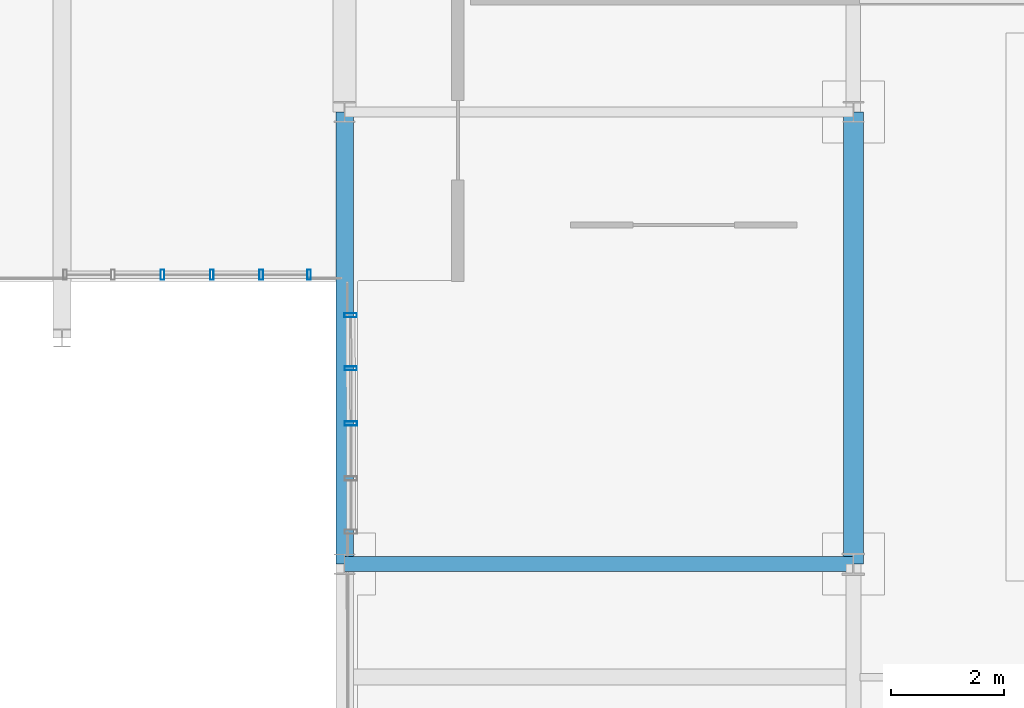
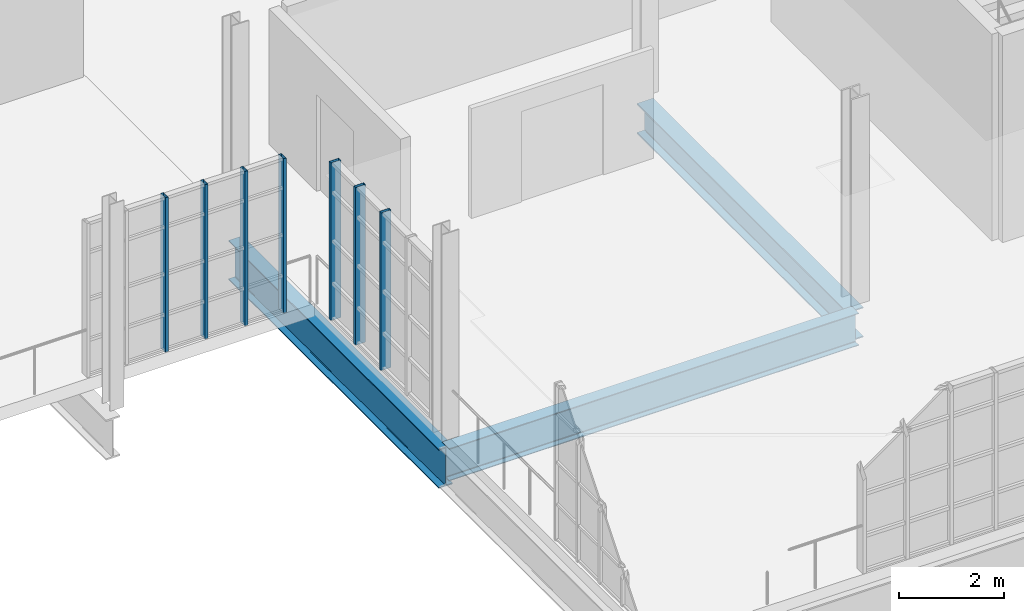
# One storey, part 24 of 122: 7 members, 3 beams, 2 elements without a shape of their own.
"""IFC4 building model written with IfcOpenShell, lengths in metres."""

from ifc_helpers import new_model, si_unit, direction, frame, origin, origin_2d, place, context, subcontext, project, spatial, hollow_rectangle, i_section, extrude, material, layer, layer_set, material_profile, profile_set, type_object, element, aggregate, save


model = new_model("IFC4")

# Units and contexts
model_context = context("Model", 3, precision=1e-05, world=origin(), true_north=direction((0.0, 1.0)))
body_context = subcontext(model_context, "Body", "Model", "MODEL_VIEW")
ifc_project = project(units=[si_unit("LENGTHUNIT", "METRE"), si_unit("AREAUNIT", "SQUARE_METRE"), si_unit("VOLUMEUNIT", "CUBIC_METRE"), si_unit("PLANEANGLEUNIT", "RADIAN"), si_unit("MASSUNIT", "GRAM", prefix="KILO"), si_unit("THERMODYNAMICTEMPERATUREUNIT", "KELVIN"), si_unit("POWERUNIT", "WATT")], contexts=[model_context])

# Site, building, storey
site_placement = place(None, origin())
site = spatial("IfcSite", under=ifc_project, at=site_placement, CompositionType="ELEMENT")
building_placement = place(site_placement, origin())
building = spatial("IfcBuilding", under=site, at=building_placement, Name="Zelmaris Science Centre", CompositionType="ELEMENT")
storey_placement = place(building_placement, frame((0.0, 0.0, 10.800048828125)))
storey = spatial("IfcBuildingStorey", under=building, at=storey_placement, Name="L02", CompositionType="ELEMENT", Elevation=10.800048828125)

# Curtain wall, members
ifc_material_1 = material(Name="Anodised architectural aluminium 6063-T6", Category="aluminium")
ifc_layer_1 = layer(ifc_material_1, 0.2099609375, Name="Anodised architectural aluminium 6063-T6")
ifc_layer_set_1 = layer_set([ifc_layer_1], Name="Anodised architectural aluminium 6063-T6")
curtain_wall_type_1 = type_object("IfcCurtainWallType", Name="Curtain Wall CW-03", PredefinedType="USERDEFINED", material=ifc_layer_set_1)
curtain_wall_1_placement = place(storey_placement, origin())
curtain_wall_1 = element("IfcCurtainWall", 1, at=curtain_wall_1_placement, inside=storey, type_object=curtain_wall_type_1, Name="L02 Unitised curtain wall 247", ObjectType="GLAZED CURTAIN WALL", PredefinedType="USERDEFINED")
ifc_material_profile_1 = material_profile(ifc_material_1, hollow_rectangle(XDim=0.06494140625, YDim=0.179931640625, WallThickness=0.00390625, at=origin_2d()), Name="ALU-MUL-65X180")
ifc_profile_set_1 = profile_set([ifc_material_profile_1], Name="Anodised architectural aluminium 6063-T6")
member_type_1 = type_object("IfcMemberType", Name="ALU-MUL-65X180", PredefinedType="MULLION", material=ifc_profile_set_1)
member_1_placement = place(storey_placement, frame((107.37158203125, 21.1201171875, -0.01513671875), z_axis=(0.0, 0.0, 1.0), x_axis=(-0.999999999986, 5.235988e-06, 0.0)))
member_1 = element("IfcMember", 2, at=member_1_placement, type_object=member_type_1, Name="CW-03 mullion 1", PredefinedType="MULLION", context=body_context, shape_type="SweptSolid", body=[
    extrude(hollow_rectangle(XDim=0.06494140625, YDim=0.179931640625, WallThickness=0.00390625, at=origin_2d()), origin(), (0.0, 0.0, 1.0), 3.588134765625),
])
member_2_placement = place(storey_placement, frame((106.525390625, 21.1201171875, -0.01513671875), z_axis=(0.0, 0.0, 1.0), x_axis=(-0.999999999986, 5.235988e-06, 0.0)))
member_2 = element("IfcMember", 3, at=member_2_placement, type_object=member_type_1, Name="CW-03 mullion 2", PredefinedType="MULLION", context=body_context, shape_type="SweptSolid", body=[
    extrude(hollow_rectangle(XDim=0.06494140625, YDim=0.179931640625, WallThickness=0.00390625, at=origin_2d()), origin(), (0.0, 0.0, 1.0), 3.588134765625),
])
member_3_placement = place(storey_placement, frame((105.650634765625, 21.1201171875, -0.01513671875), z_axis=(0.0, 0.0, 1.0), x_axis=(-0.999999999986, 5.235988e-06, 0.0)))
member_3 = element("IfcMember", 4, at=member_3_placement, type_object=member_type_1, Name="CW-03 mullion 3", PredefinedType="MULLION", context=body_context, shape_type="SweptSolid", body=[
    extrude(hollow_rectangle(XDim=0.06494140625, YDim=0.179931640625, WallThickness=0.00390625, at=origin_2d()), origin(), (0.0, 0.0, 1.0), 3.588134765625),
])
member_4_placement = place(storey_placement, frame((104.776123046875, 21.1201171875, -0.01513671875), z_axis=(0.0, 0.0, 1.0), x_axis=(-0.999999999986, 5.235988e-06, 0.0)))
member_4 = element("IfcMember", 5, at=member_4_placement, type_object=member_type_1, Name="CW-03 mullion 4", PredefinedType="MULLION", context=body_context, shape_type="SweptSolid", body=[
    extrude(hollow_rectangle(XDim=0.06494140625, YDim=0.179931640625, WallThickness=0.00390625, at=origin_2d()), origin(), (0.0, 0.0, 1.0), 3.588134765625),
])
aggregate(curtain_wall_1, [member_1, member_2, member_3, member_4])

ifc_layer_2 = layer(ifc_material_1, 0.199951171875, Name="Anodised architectural aluminium 6063-T6")
ifc_layer_set_2 = layer_set([ifc_layer_2], Name="Anodised architectural aluminium 6063-T6")
curtain_wall_type_2 = type_object("IfcCurtainWallType", Name="Curtain Wall CW-02", PredefinedType="USERDEFINED", material=ifc_layer_set_2)
curtain_wall_2_placement = place(storey_placement, origin())
curtain_wall_2 = element("IfcCurtainWall", 6, at=curtain_wall_2_placement, inside=storey, type_object=curtain_wall_type_2, Name="L02 Unitised curtain wall 246", ObjectType="GLAZED CURTAIN WALL", PredefinedType="USERDEFINED")
ifc_material_profile_2 = material_profile(ifc_material_1, hollow_rectangle(XDim=0.074951171875, YDim=0.219970703125, WallThickness=0.0048828125, at=origin_2d()), Name="ALU-MUL-75X220")
ifc_profile_set_2 = profile_set([ifc_material_profile_2], Name="Anodised architectural aluminium 6063-T6")
member_type_2 = type_object("IfcMemberType", Name="ALU-MUL-75X220", PredefinedType="MULLION", material=ifc_profile_set_2)
member_5_placement = place(storey_placement, frame((108.109130859375, 18.4892578125, -0.01513671875), z_axis=(0.0, 0.0, 1.0), x_axis=(-0.001054178673, 0.999999444354, 0.0)))
member_5 = element("IfcMember", 7, at=member_5_placement, type_object=member_type_2, Name="CW-02 mullion 3", PredefinedType="MULLION", context=body_context, shape_type="SweptSolid", body=[
    extrude(hollow_rectangle(XDim=0.074951171875, YDim=0.219970703125, WallThickness=0.0048828125, at=origin_2d()), origin(), (0.0, 0.0, 1.0), 3.6591796875),
])
member_6_placement = place(storey_placement, frame((108.10791015625, 19.463623046875, -0.01513671875), z_axis=(0.0, 0.0, 1.0), x_axis=(-0.001054178673, 0.999999444354, 0.0)))
member_6 = element("IfcMember", 8, at=member_6_placement, type_object=member_type_2, Name="CW-02 mullion 4", PredefinedType="MULLION", context=body_context, shape_type="SweptSolid", body=[
    extrude(hollow_rectangle(XDim=0.074951171875, YDim=0.219970703125, WallThickness=0.0048828125, at=origin_2d()), origin(), (0.0, 0.0, 1.0), 3.6591796875),
])
member_7_placement = place(storey_placement, frame((108.10693359375, 20.40478515625, -0.01513671875), z_axis=(0.0, 0.0, 1.0), x_axis=(-0.001054178673, 0.999999444354, 0.0)))
member_7 = element("IfcMember", 9, at=member_7_placement, type_object=member_type_2, Name="CW-02 mullion 5", PredefinedType="MULLION", context=body_context, shape_type="SweptSolid", body=[
    extrude(hollow_rectangle(XDim=0.074951171875, YDim=0.219970703125, WallThickness=0.0048828125, at=origin_2d()), origin(), (0.0, 0.0, 1.0), 3.6591796875),
])
aggregate(curtain_wall_2, [member_5, member_6, member_7])

# Beams
ifc_material_2 = material(Name="Steel ASTM A992 Grade 50", Category="steel")
ifc_material_profile_3 = material_profile(ifc_material_2, i_section(OverallWidth=0.304931640625, OverallDepth=0.912109375, WebThickness=0.015869140625, FlangeThickness=0.02392578125, FilletRadius=0.02392578125, at=origin_2d()), Name="W36X150")
ifc_profile_set_3 = profile_set([ifc_material_profile_3], Name="Steel ASTM A992 Grade 50")
beam_type_1 = type_object("IfcBeamType", Name="Beam G-27 W36X150", PredefinedType="BEAM", material=ifc_profile_set_3)
beam_1_placement = place(storey_placement, frame((108.0, 16.0, -0.756103515625), z_axis=(0.0, 1.0, 0.0), x_axis=(-1.0, 0.0, 0.0)))
element("IfcBeam", 10, at=beam_1_placement, inside=storey, type_object=beam_type_1, Name="L02 North-south girder 512", PredefinedType="BEAM", context=body_context, shape_type="SweptSolid", body=[
    extrude(i_section(OverallWidth=0.304931640625, OverallDepth=0.912109375, WebThickness=0.015869140625, FlangeThickness=0.02392578125, FilletRadius=0.02392578125, at=origin_2d()), origin(), (0.0, 0.0, 1.0), 8.0),
])
ifc_material_profile_4 = material_profile(ifc_material_2, i_section(OverallWidth=0.26708984375, OverallDepth=0.75390625, WebThickness=0.01318359375, FlangeThickness=0.01708984375, FilletRadius=0.01904296875, at=origin_2d()), Name="W30X99")
ifc_profile_set_4 = profile_set([ifc_material_profile_4], Name="Steel ASTM A992 Grade 50")
beam_type_2 = type_object("IfcBeamType", Name="Beam G-34 W30X99", PredefinedType="BEAM", material=ifc_profile_set_4)
beam_2_placement = place(storey_placement, frame((108.0, 16.0, -0.636962890625), z_axis=(1.0, 0.0, 0.0), x_axis=(0.0, 1.0, 0.0)))
element("IfcBeam", 11, at=beam_2_placement, inside=storey, type_object=beam_type_2, Name="L02 East-west girder 550", PredefinedType="BEAM", context=body_context, shape_type="SweptSolid", body=[
    extrude(i_section(OverallWidth=0.26708984375, OverallDepth=0.75390625, WebThickness=0.01318359375, FlangeThickness=0.01708984375, FilletRadius=0.01904296875, at=origin_2d()), origin(), (0.0, 0.0, 1.0), 9.0),
])
ifc_material_profile_5 = material_profile(ifc_material_2, i_section(OverallWidth=0.35595703125, OverallDepth=0.700927734375, WebThickness=0.016845703125, FlangeThickness=0.02734375, FilletRadius=0.01806640625, at=origin_2d()), Name="W27X161")
ifc_profile_set_5 = profile_set([ifc_material_profile_5], Name="Steel ASTM A992 Grade 50")
beam_type_3 = type_object("IfcBeamType", Name="Beam G-35 W27X161", PredefinedType="BEAM", material=ifc_profile_set_5)
beam_3_placement = place(storey_placement, frame((117.0, 16.0, -0.610595703125), z_axis=(0.0, 1.0, 0.0), x_axis=(-1.0, 0.0, 0.0)))
element("IfcBeam", 12, at=beam_3_placement, inside=storey, type_object=beam_type_3, Name="L02 North-south girder 520", PredefinedType="BEAM", context=body_context, shape_type="SweptSolid", body=[
    extrude(i_section(OverallWidth=0.35595703125, OverallDepth=0.700927734375, WebThickness=0.016845703125, FlangeThickness=0.02734375, FilletRadius=0.01806640625, at=origin_2d()), origin(), (0.0, 0.0, 1.0), 8.0),
])

save(model, "model.ifc")
